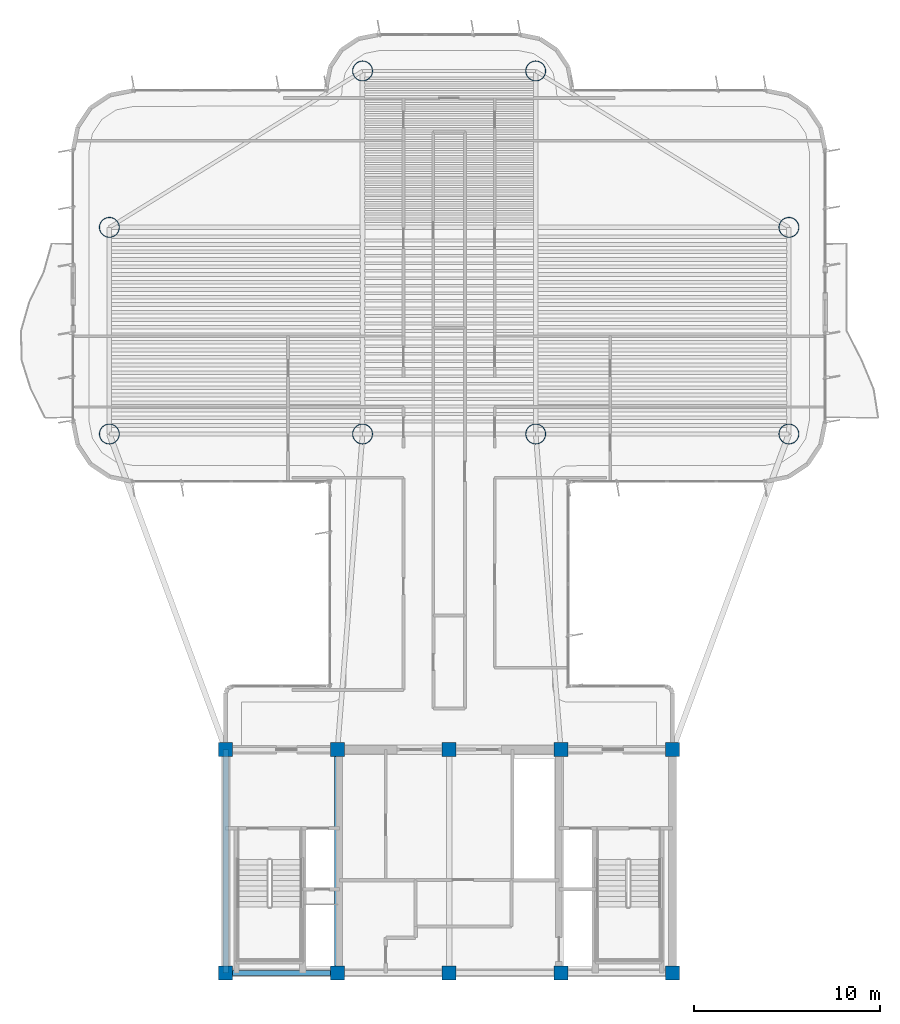
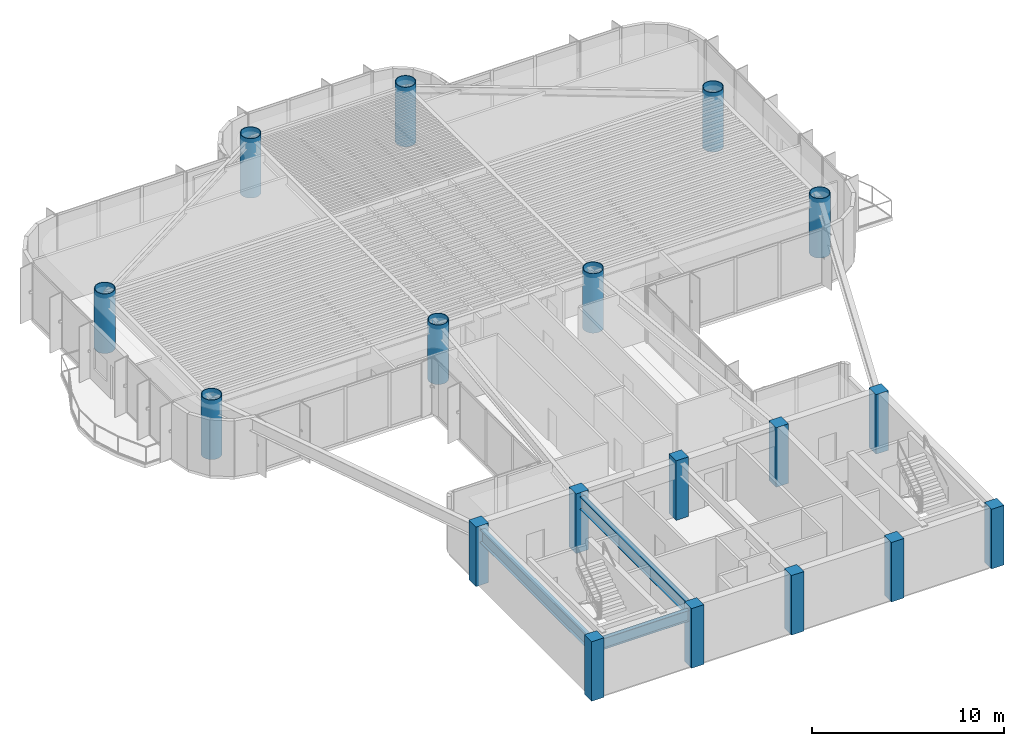
# One storey, part 1 of 14: 18 columns, 3 beams.
"""IFC4 building model written with IfcOpenShell, lengths in metres."""

from ifc_helpers import new_model, si_unit, direction, frame, origin, origin_2d, place, context, subcontext, project, spatial, rectangle, hollow_circle, i_section, extrude, source, transform, mapped, material, material_profile, profile_set, type_object, element, save


model = new_model("IFC4")

# Units and contexts
model_context = context("Model", 3, precision=1e-05, world=origin(), true_north=direction((0.0, 1.0)))
body_context = subcontext(model_context, "Body", "Model", "MODEL_VIEW")
ifc_project = project(units=[si_unit("LENGTHUNIT", "METRE"), si_unit("AREAUNIT", "SQUARE_METRE"), si_unit("VOLUMEUNIT", "CUBIC_METRE"), si_unit("PLANEANGLEUNIT", "RADIAN"), si_unit("MASSUNIT", "GRAM", prefix="KILO")], contexts=[model_context])

# Site, building, storey
site_placement = place(None, origin())
site = spatial("IfcSite", under=ifc_project, at=site_placement, CompositionType="ELEMENT")
building_placement = place(site_placement, origin())
building = spatial("IfcBuilding", under=site, at=building_placement, Name="Brelvock Crest Care Tower", CompositionType="ELEMENT")
storey_placement = place(building_placement, frame((0.0, 0.0, 179.10009765625)))
storey = spatial("IfcBuildingStorey", under=building, at=storey_placement, Name="L45", CompositionType="ELEMENT", Elevation=179.10009765625)

# Columns
ifc_material_1 = material(Name="Concrete S65 (65 MPa)", Category="concrete")
ifc_material_profile_1 = material_profile(ifc_material_1, rectangle(XDim=0.75, YDim=0.75, at=origin_2d()), Name="RC750x750")
ifc_profile_set_1 = profile_set([ifc_material_profile_1], Name="Concrete S65 (65 MPa)")
column_type_1 = type_object("IfcColumnType", Name="COL-RC3", PredefinedType="COLUMN", material=ifc_profile_set_1)
shared_shape_1 = source(origin(), body_context, "Body", "SweptSolid", [
    extrude(rectangle(XDim=0.75, YDim=0.75, at=origin_2d()), origin(), (0.0, 0.0, 1.0), 3.77978515625),
])
for number, where, z_axis, x_axis, name in (
    (1, (24.0, 6.0, 0.0), (0.0, 0.0, 1.0), (1.0, 0.0, 0.0), "L45 Core Column CC-01"),
    (2, (30.0, 6.0, 0.0), (0.0, 0.0, 1.0), (1.0, 0.0, 0.0), "L45 Core Column CC-02"),
    (3, (36.0, 6.0, 0.0), (0.0, 0.0, 1.0), (1.0, 0.0, 0.0), "L45 Core Column CC-03"),
    (4, (42.0, 6.0, 0.0), (0.0, 0.0, 1.0), (1.0, 0.0, 0.0), "L45 Core Column CC-04"),
    (5, (48.0, 6.0, 0.0), (0.0, 0.0, 1.0), (1.0, 0.0, 0.0), "L45 Core Column CC-05"),
    (6, (24.0, 18.0, 0.0), (0.0, 0.0, 1.0), (1.0, 0.0, 0.0), "L45 Core Column CC-06"),
    (7, (30.0, 18.0, 0.0), (0.0, 0.0, 1.0), (1.0, 0.0, 0.0), "L45 Core Column CC-07"),
    (8, (36.0, 18.0, 0.0), (0.0, 0.0, 1.0), (1.0, 0.0, 0.0), "L45 Core Column CC-08"),
    (9, (42.0, 18.0, 0.0), (0.0, 0.0, 1.0), (1.0, 0.0, 0.0), "L45 Core Column CC-09"),
    (10, (48.0, 18.0, 0.0), (0.0, 0.0, 1.0), (1.0, 0.0, 0.0), "L45 Core Column CC-10"),
):
    element("IfcColumn", number, at=place(storey_placement, frame(where, z_axis=z_axis, x_axis=x_axis)), inside=storey, type_object=column_type_1, Name=name, PredefinedType="COLUMN", context=body_context, shape_type="MappedRepresentation", body=[
        mapped(shared_shape_1, transform((0.0, 0.0, 0.0), x_axis=(1.0, 0.0, 0.0), y_axis=(0.0, 1.0, 0.0), z_axis=(0.0, 0.0, 1.0), scale=1.0)),
    ])
ifc_material_2 = material(Name="Steel Grade 350", Category="steel")
ifc_material_profile_2 = material_profile(ifc_material_2, hollow_circle(Radius=0.550048828125, WallThickness=0.0400390625, at=origin_2d()), Name="CFT1100x40")
ifc_profile_set_2 = profile_set([ifc_material_profile_2], Name="Steel Grade 350")
column_type_2 = type_object("IfcColumnType", Name="COL-MC3", PredefinedType="COLUMN", material=ifc_profile_set_2)
shared_shape_2 = source(origin(), body_context, "Body", "SweptSolid", [
    extrude(hollow_circle(Radius=0.550048828125, WallThickness=0.0400390625, at=origin_2d()), origin(), (0.0, 0.0, 1.0), 3.77978515625),
])
for number, where, z_axis, x_axis, name in (
    (11, (17.75, 34.949951171875, 0.0), (0.0, 0.0, 1.0), (1.0, 0.0, 0.0), "L45 Tower Column M1"),
    (12, (17.75, 46.050048828125, 0.0), (0.0, 0.0, 1.0), (1.0, 0.0, 0.0), "L45 Tower Column M2"),
    (13, (54.25, 34.949951171875, 0.0), (0.0, 0.0, 1.0), (1.0, 0.0, 0.0), "L45 Tower Column M3"),
    (14, (54.25, 46.050048828125, 0.0), (0.0, 0.0, 1.0), (1.0, 0.0, 0.0), "L45 Tower Column M4"),
    (15, (31.35009765625, 34.949951171875, 0.0), (0.0, 0.0, 1.0), (1.0, 0.0, 0.0), "L45 Tower Column M5"),
    (16, (40.64990234375, 34.949951171875, 0.0), (0.0, 0.0, 1.0), (1.0, 0.0, 0.0), "L45 Tower Column M6"),
    (17, (31.35009765625, 54.449951171875, 0.0), (0.0, 0.0, 1.0), (1.0, 0.0, 0.0), "L45 Tower Column M7"),
    (18, (40.64990234375, 54.449951171875, 0.0), (0.0, 0.0, 1.0), (1.0, 0.0, 0.0), "L45 Tower Column M8"),
):
    element("IfcColumn", number, at=place(storey_placement, frame(where, z_axis=z_axis, x_axis=x_axis)), inside=storey, type_object=column_type_2, Name=name, PredefinedType="COLUMN", context=body_context, shape_type="MappedRepresentation", body=[
        mapped(shared_shape_2, transform((0.0, 0.0, 0.0), x_axis=(1.0, 0.0, 0.0), y_axis=(0.0, 1.0, 0.0), z_axis=(0.0, 0.0, 1.0), scale=1.0)),
    ])

# Beams
ifc_material_profile_3 = material_profile(ifc_material_2, i_section(OverallWidth=0.25, OverallDepth=0.699951171875, WebThickness=0.011962890625, FlangeThickness=0.02001953125, at=origin_2d()), Name="700WB150")
ifc_profile_set_3 = profile_set([ifc_material_profile_3], Name="Steel Grade 350")
beam_type_1 = type_object("IfcBeamType", Name="BM-G4", PredefinedType="BEAM", material=ifc_profile_set_3)
shared_shape_3 = source(origin(), body_context, "Body", "SweptSolid", [
    extrude(i_section(OverallWidth=0.25, OverallDepth=0.699951171875, WebThickness=0.011962890625, FlangeThickness=0.02001953125, at=origin_2d()), origin(), (0.0, 0.0, 1.0), 6.0),
])
beam_placement = place(storey_placement, frame((24.0, 6.0, 3.179931640625), z_axis=(1.0, 0.0, 0.0), x_axis=(0.0, 1.0, 0.0)))
element("IfcBeam", 19, at=beam_placement, inside=storey, type_object=beam_type_1, Name="BM-CORES-L45-1", PredefinedType="BEAM", context=body_context, shape_type="MappedRepresentation", body=[
    mapped(shared_shape_3, transform((0.0, 0.0, 0.0), x_axis=(1.0, 0.0, 0.0), y_axis=(0.0, 1.0, 0.0), z_axis=(0.0, 0.0, 1.0), scale=1.0)),
])
ifc_material_profile_4 = material_profile(ifc_material_2, i_section(OverallWidth=0.300048828125, OverallDepth=0.800048828125, WebThickness=0.013916015625, FlangeThickness=0.02197265625, at=origin_2d()), Name="800WB192")
ifc_profile_set_4 = profile_set([ifc_material_profile_4], Name="Steel Grade 350")
beam_type_2 = type_object("IfcBeamType", Name="BM-G5", PredefinedType="BEAM", material=ifc_profile_set_4)
shared_shape_4 = source(origin(), body_context, "Body", "SweptSolid", [
    extrude(i_section(OverallWidth=0.300048828125, OverallDepth=0.800048828125, WebThickness=0.013916015625, FlangeThickness=0.02197265625, at=origin_2d()), origin(), (0.0, 0.0, 1.0), 12.0),
])
for number, where, z_axis, x_axis, name in (
    (20, (24.0, 6.0, 3.1298828125), (0.0, 1.0, 0.0), (-1.0, 0.0, 0.0), "BM-COREX-L45-1"),
    (21, (30.0, 6.0, 3.1298828125), (0.0, 1.0, 0.0), (-1.0, 0.0, 0.0), "BM-COREX-L45-2"),
):
    element("IfcBeam", number, at=place(storey_placement, frame(where, z_axis=z_axis, x_axis=x_axis)), inside=storey, type_object=beam_type_2, Name=name, PredefinedType="BEAM", context=body_context, shape_type="MappedRepresentation", body=[
        mapped(shared_shape_4, transform((0.0, 0.0, 0.0), x_axis=(1.0, 0.0, 0.0), y_axis=(0.0, 1.0, 0.0), z_axis=(0.0, 0.0, 1.0), scale=1.0)),
    ])

save(model, "model.ifc")
